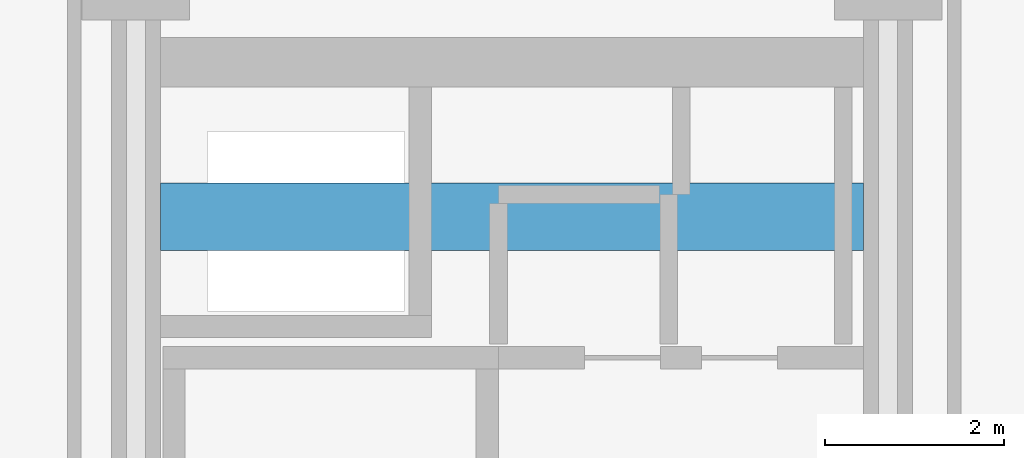
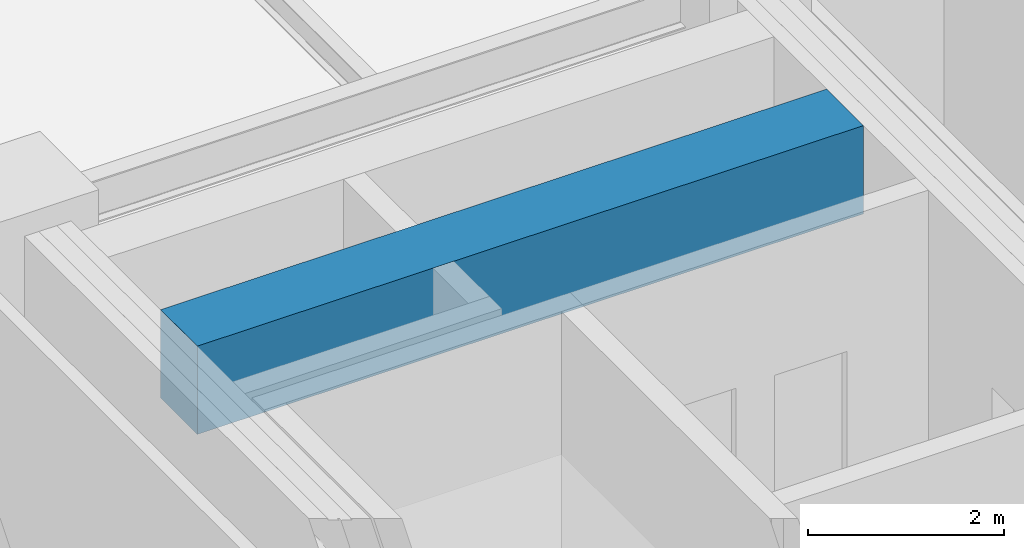
# One storey, part 17 of 30: 1 beam.
"""IFC4 building model written with IfcOpenShell, lengths in metres."""

from ifc_helpers import new_model, si_unit, direction, frame, origin, origin_2d, place, context, subcontext, project, spatial, rectangle, extrude, material, material_profile, profile_set, type_object, element, save


model = new_model("IFC4")

# Units and contexts
model_context = context("Model", 3, precision=1e-05, world=origin(), true_north=direction((0.0, 1.0)))
body_context = subcontext(model_context, "Body", "Model", "MODEL_VIEW")
ifc_project = project(units=[si_unit("LENGTHUNIT", "METRE"), si_unit("AREAUNIT", "SQUARE_METRE"), si_unit("VOLUMEUNIT", "CUBIC_METRE"), si_unit("PLANEANGLEUNIT", "RADIAN"), si_unit("MASSUNIT", "GRAM", prefix="KILO")], contexts=[model_context])

# Site, building, storey
site_placement = place(None, origin())
site = spatial("IfcSite", under=ifc_project, at=site_placement, CompositionType="ELEMENT")
building_placement = place(site_placement, origin())
building = spatial("IfcBuilding", under=site, at=building_placement, Name="Nerrivon Quay Data Exchange", CompositionType="ELEMENT")
storey_placement = place(building_placement, frame((0.0, 0.0, 129.5)))
storey = spatial("IfcBuildingStorey", under=building, at=storey_placement, Name="L30", CompositionType="ELEMENT", Elevation=129.5)

# Beam
ifc_material = material(Name="Concrete S65 (65 MPa)", Category="concrete")
ifc_material_profile = material_profile(ifc_material, rectangle(XDim=0.75, YDim=1.10009765625, at=origin_2d()), Name="RC-CB-750x1100")
ifc_profile_set = profile_set([ifc_material_profile], Name="Concrete S65 (65 MPa)")
beam_type = type_object("IfcBeamType", Name="BM-CB1-750x1100", PredefinedType="LINTEL", material=ifc_profile_set)
beam_placement = place(storey_placement, frame((8.675048828125, 39.199951171875, 3.27490234375), z_axis=(1.0, 0.0, 0.0), x_axis=(0.0, 1.0, 0.0)))
element("IfcBeam", 1, at=beam_placement, inside=storey, type_object=beam_type, Name="L30 West Core Coupling Beam", PredefinedType="LINTEL", context=body_context, shape_type="SweptSolid", body=[
    extrude(rectangle(XDim=0.75, YDim=1.10009765625, at=origin_2d()), origin(), (0.0, 0.0, 1.0), 7.849853515625),
])

save(model, "model.ifc")
